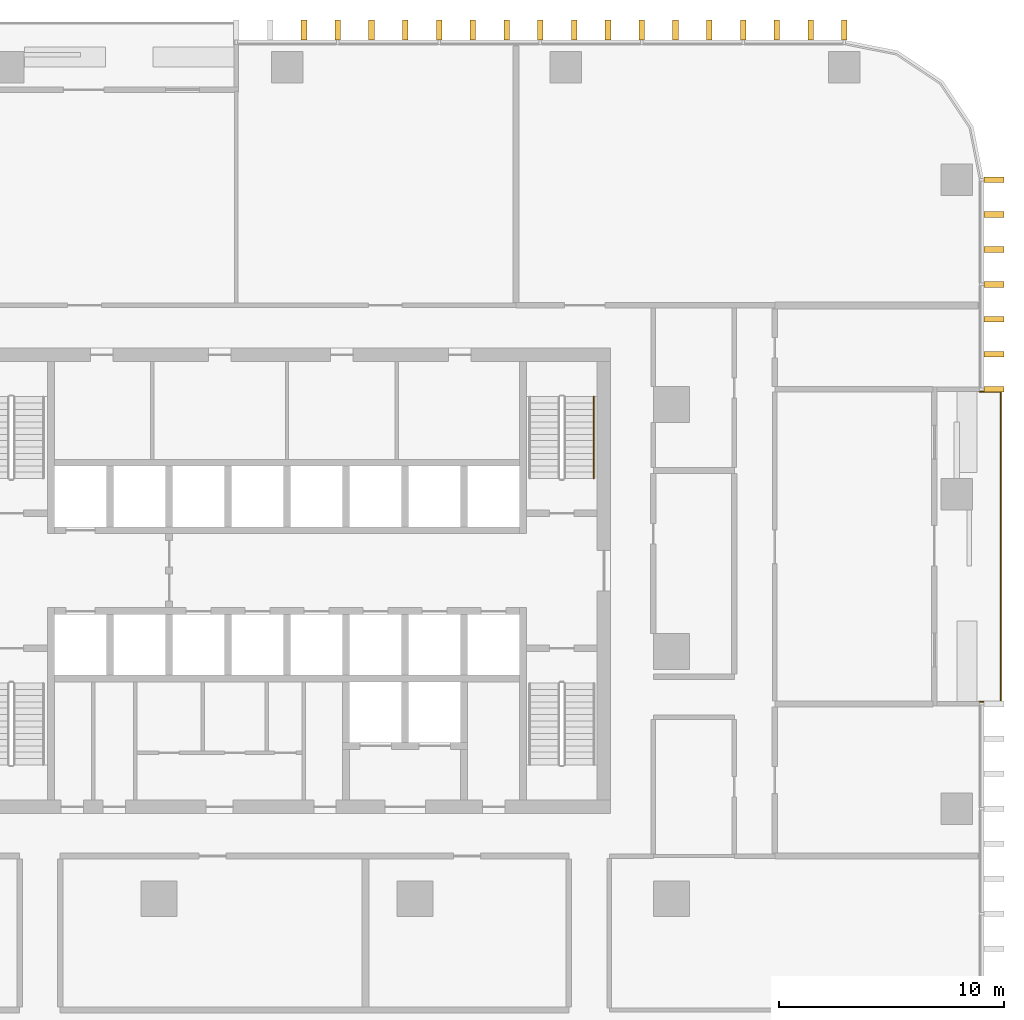
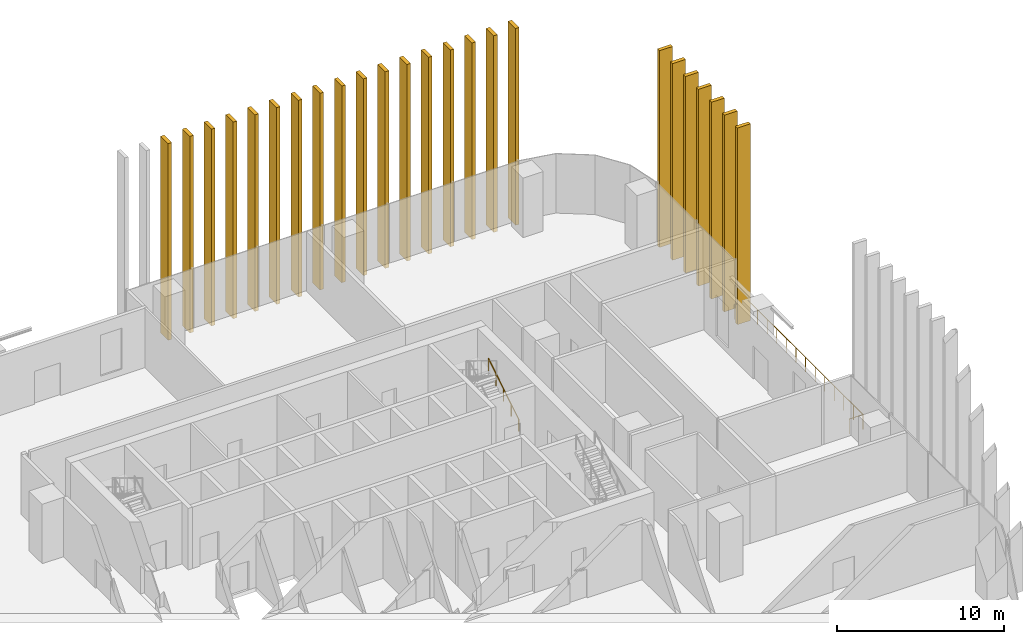
# One storey, part 16 of 16: 24 shading devices, 2 railings.
"""IFC4 building model written with IfcOpenShell, lengths in metres."""

from ifc_helpers import new_model, si_unit, direction, frame, origin, origin_2d, place, context, subcontext, project, spatial, rectangle, circle, extrude, material, type_object, element, save


model = new_model("IFC4")

# Units and contexts
model_context = context("Model", 3, precision=1e-05, world=origin(), true_north=direction((0.0, 1.0)))
body_context = subcontext(model_context, "Body", "Model", "MODEL_VIEW")
ifc_project = project(units=[si_unit("LENGTHUNIT", "METRE"), si_unit("AREAUNIT", "SQUARE_METRE"), si_unit("VOLUMEUNIT", "CUBIC_METRE"), si_unit("PLANEANGLEUNIT", "RADIAN"), si_unit("MASSUNIT", "GRAM", prefix="KILO")], contexts=[model_context])

# Site, building, storey
site_placement = place(None, origin())
site = spatial("IfcSite", under=ifc_project, at=site_placement, CompositionType="ELEMENT")
building_placement = place(site_placement, origin())
building = spatial("IfcBuilding", under=site, at=building_placement, Name="Mopane Tessera Tower", CompositionType="ELEMENT")
storey_placement = place(building_placement, frame((0.0, 0.0, 59.800048828125)))
storey = spatial("IfcBuildingStorey", under=building, at=storey_placement, Name="L11", CompositionType="ELEMENT", Elevation=59.800048828125)

# Shading devices
ifc_material_1 = material(Name="Glazed ceramic tile")
shading_device_type = type_object("IfcShadingDeviceType", Name="Ceramic tile fin 900 x 250 mm", PredefinedType="USERDEFINED", material=ifc_material_1)
for number, where, z_axis, x_axis, name in (
    (1, (31.449951171875, 11.666748046875, -0.449951171875), (0.0, 0.0, 1.0), (0.0, 1.0, 0.0), "e:fin:L11:E:7:0"),
    (2, (31.449951171875, 13.22216796875, -0.449951171875), (0.0, 0.0, 1.0), (0.0, 1.0, 0.0), "e:fin:L11:E:7:1"),
    (3, (31.449951171875, 14.77783203125, -0.449951171875), (0.0, 0.0, 1.0), (0.0, 1.0, 0.0), "e:fin:L11:E:7:2"),
    (4, (31.449951171875, 16.333251953125, -0.449951171875), (0.0, 0.0, 1.0), (0.0, 1.0, 0.0), "e:fin:L11:E:8:0"),
    (5, (31.449951171875, 17.888916015625, -0.449951171875), (0.0, 0.0, 1.0), (0.0, 1.0, 0.0), "e:fin:L11:E:8:1"),
    (6, (31.449951171875, 19.4443359375, -0.449951171875), (0.0, 0.0, 1.0), (0.0, 1.0, 0.0), "e:fin:L11:E:8:2"),
    (7, (31.449951171875, 21.0, -0.449951171875), (0.0, 0.0, 1.0), (0.0, 1.0, 0.0), "e:fin:L11:E:8:3"),
    (8, (24.800048828125, 27.64990234375, -0.449951171875), (0.0, 0.0, 1.0), (-1.0, 0.0, 0.0), "e:fin:L11:N:0:0"),
    (9, (23.296875, 27.64990234375, -0.449951171875), (0.0, 0.0, 1.0), (-1.0, 0.0, 0.0), "e:fin:L11:N:0:1"),
    (10, (21.7939453125, 27.64990234375, -0.449951171875), (0.0, 0.0, 1.0), (-1.0, 0.0, 0.0), "e:fin:L11:N:0:2"),
    (11, (20.291015625, 27.64990234375, -0.449951171875), (0.0, 0.0, 1.0), (-1.0, 0.0, 0.0), "e:fin:L11:N:1:0"),
    (12, (18.787841796875, 27.64990234375, -0.449951171875), (0.0, 0.0, 1.0), (-1.0, 0.0, 0.0), "e:fin:L11:N:1:1"),
    (13, (17.284912109375, 27.64990234375, -0.449951171875), (0.0, 0.0, 1.0), (-1.0, 0.0, 0.0), "e:fin:L11:N:1:2"),
    (14, (15.78173828125, 27.64990234375, -0.449951171875), (0.0, 0.0, 1.0), (-1.0, 0.0, 0.0), "e:fin:L11:N:2:0"),
    (15, (14.27880859375, 27.64990234375, -0.449951171875), (0.0, 0.0, 1.0), (-1.0, 0.0, 0.0), "e:fin:L11:N:2:1"),
    (16, (12.77587890625, 27.64990234375, -0.449951171875), (0.0, 0.0, 1.0), (-1.0, 0.0, 0.0), "e:fin:L11:N:2:2"),
    (17, (11.272705078125, 27.64990234375, -0.449951171875), (0.0, 0.0, 1.0), (-1.0, 0.0, 0.0), "e:fin:L11:N:3:0"),
    (18, (9.769775390625, 27.64990234375, -0.449951171875), (0.0, 0.0, 1.0), (-1.0, 0.0, 0.0), "e:fin:L11:N:3:1"),
    (19, (8.2666015625, 27.64990234375, -0.449951171875), (0.0, 0.0, 1.0), (-1.0, 0.0, 0.0), "e:fin:L11:N:3:2"),
    (20, (6.763671875, 27.64990234375, -0.449951171875), (0.0, 0.0, 1.0), (-1.0, 0.0, 0.0), "e:fin:L11:N:4:0"),
    (21, (5.260498046875, 27.64990234375, -0.449951171875), (0.0, 0.0, 1.0), (-1.0, 0.0, 0.0), "e:fin:L11:N:4:1"),
    (22, (3.757568359375, 27.64990234375, -0.449951171875), (0.0, 0.0, 1.0), (-1.0, 0.0, 0.0), "e:fin:L11:N:4:2"),
    (23, (2.254638671875, 27.64990234375, -0.449951171875), (0.0, 0.0, 1.0), (-1.0, 0.0, 0.0), "e:fin:L11:N:5:0"),
    (24, (0.75146484375, 27.64990234375, -0.449951171875), (0.0, 0.0, 1.0), (-1.0, 0.0, 0.0), "e:fin:L11:N:5:1"),
):
    element("IfcShadingDevice", number, at=place(storey_placement, frame(where, z_axis=z_axis, x_axis=x_axis)), inside=storey, type_object=shading_device_type, Name=name, ObjectType="FIN", PredefinedType="USERDEFINED", context=body_context, shape_type="SweptSolid", body=[
        extrude(rectangle(XDim=0.25, YDim=0.89990234375, at=origin_2d()), origin(), (0.0, 0.0, 1.0), 14.39990234375),
    ])

# Railings
ifc_material_2 = material(Name="Powder-coated steel balustrade", Category="steel")
railing_type_1 = type_object("IfcRailingType", Name="Escape stair handrail 900 mm", PredefinedType="HANDRAIL", material=ifc_material_2)
railing_1_placement = place(storey_placement, frame((13.64990234375, 7.699951171875, 0.17138671875)))
element("IfcRailing", 25, at=railing_1_placement, inside=storey, type_object=railing_type_1, Name="L11 ST4 stair handrail 1", PredefinedType="HANDRAIL", context=body_context, shape_type="SweptSolid", body=[
    extrude(circle(Radius=0.02392578125, at=origin_2d()), frame((0.0, 0.0, 0.8759765625), z_axis=(0.0, 0.852865859571, 0.52213008492), x_axis=(-1.0, 0.0, 0.0)), (0.0, 0.0, 1.0), 4.26806640625),
    extrude(circle(Radius=0.02099609375, at=origin_2d()), origin(), (0.0, 0.0, 1.0), 0.851806640625),
    extrude(circle(Radius=0.02099609375, at=origin_2d()), frame((0.0, 0.91015625, 0.55712890625)), (0.0, 0.0, 1.0), 0.851806640625),
    extrude(circle(Radius=0.02099609375, at=origin_2d()), frame((0.0, 1.820068359375, 1.1142578125)), (0.0, 0.0, 1.0), 0.851806640625),
    extrude(circle(Radius=0.02099609375, at=origin_2d()), frame((0.0, 2.72998046875, 1.67138671875)), (0.0, 0.0, 1.0), 0.851806640625),
    extrude(circle(Radius=0.02099609375, at=origin_2d()), frame((0.0, 3.64013671875, 2.228515625)), (0.0, 0.0, 1.0), 0.851806640625),
])
ifc_material_3 = material(Name="Stainless steel S316", Category="steel")
railing_type_2 = type_object("IfcRailingType", Name="Terrace guard 1100", PredefinedType="GUARDRAIL", material=ifc_material_3)
railing_2_placement = place(storey_placement, frame((30.800048828125, -2.2333984375, 0.0)))
element("IfcRailing", 26, at=railing_2_placement, inside=storey, type_object=railing_type_2, Name="e:nw:L11:N1:guard", PredefinedType="GUARDRAIL", context=body_context, shape_type="SweptSolid", body=[
    extrude(circle(Radius=0.02392578125, at=origin_2d()), frame((0.0, 0.0, 1.076171875), z_axis=(1.0, 0.0, 0.0), x_axis=(0.0, 1.0, 0.0)), (0.0, 0.0, 1.0), 0.949951171875),
    extrude(circle(Radius=0.02392578125, at=origin_2d()), frame((0.949951171875, 0.0, 1.076171875), z_axis=(0.0, 1.0, 0.0), x_axis=(-1.0, 0.0, 0.0)), (0.0, 0.0, 1.0), 13.800048828125),
    extrude(circle(Radius=0.02392578125, at=origin_2d()), frame((0.949951171875, 13.800048828125, 1.076171875), z_axis=(-1.0, 0.0, 0.0), x_axis=(0.0, -1.0, 0.0)), (0.0, 0.0, 1.0), 0.949951171875),
    extrude(circle(Radius=0.02099609375, at=origin_2d()), origin(), (0.0, 0.0, 1.0), 1.052001953125),
    extrude(circle(Radius=0.02099609375, at=origin_2d()), frame((0.949951171875, 0.0, 0.0)), (0.0, 0.0, 1.0), 1.052001953125),
    extrude(circle(Radius=0.02099609375, at=origin_2d()), frame((0.949951171875, 1.14990234375, 0.0)), (0.0, 0.0, 1.0), 1.052001953125),
    extrude(circle(Radius=0.02099609375, at=origin_2d()), frame((0.949951171875, 2.300048828125, 0.0)), (0.0, 0.0, 1.0), 1.052001953125),
    extrude(circle(Radius=0.02099609375, at=origin_2d()), frame((0.949951171875, 3.449951171875, 0.0)), (0.0, 0.0, 1.0), 1.052001953125),
    extrude(circle(Radius=0.02099609375, at=origin_2d()), frame((0.949951171875, 4.60009765625, 0.0)), (0.0, 0.0, 1.0), 1.052001953125),
    extrude(circle(Radius=0.02099609375, at=origin_2d()), frame((0.949951171875, 5.75, 0.0)), (0.0, 0.0, 1.0), 1.052001953125),
    extrude(circle(Radius=0.02099609375, at=origin_2d()), frame((0.949951171875, 6.89990234375, 0.0)), (0.0, 0.0, 1.0), 1.052001953125),
    extrude(circle(Radius=0.02099609375, at=origin_2d()), frame((0.949951171875, 8.050048828125, 0.0)), (0.0, 0.0, 1.0), 1.052001953125),
    extrude(circle(Radius=0.02099609375, at=origin_2d()), frame((0.949951171875, 9.199951171875, 0.0)), (0.0, 0.0, 1.0), 1.052001953125),
    extrude(circle(Radius=0.02099609375, at=origin_2d()), frame((0.949951171875, 10.35009765625, 0.0)), (0.0, 0.0, 1.0), 1.052001953125),
    extrude(circle(Radius=0.02099609375, at=origin_2d()), frame((0.949951171875, 11.5, 0.0)), (0.0, 0.0, 1.0), 1.052001953125),
    extrude(circle(Radius=0.02099609375, at=origin_2d()), frame((0.949951171875, 12.650146484375, 0.0)), (0.0, 0.0, 1.0), 1.052001953125),
    extrude(circle(Radius=0.02099609375, at=origin_2d()), frame((0.949951171875, 13.800048828125, 0.0)), (0.0, 0.0, 1.0), 1.052001953125),
    extrude(circle(Radius=0.02099609375, at=origin_2d()), frame((0.0, 13.800048828125, 0.0)), (0.0, 0.0, 1.0), 1.052001953125),
])

save(model, "model.ifc")
